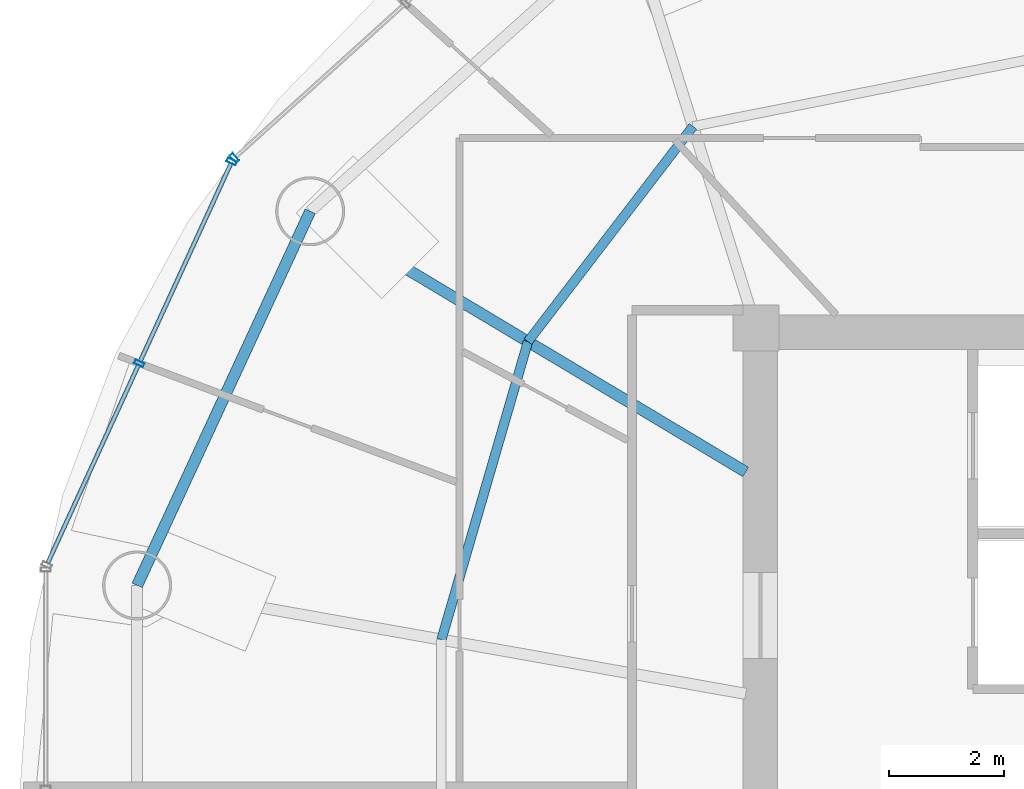
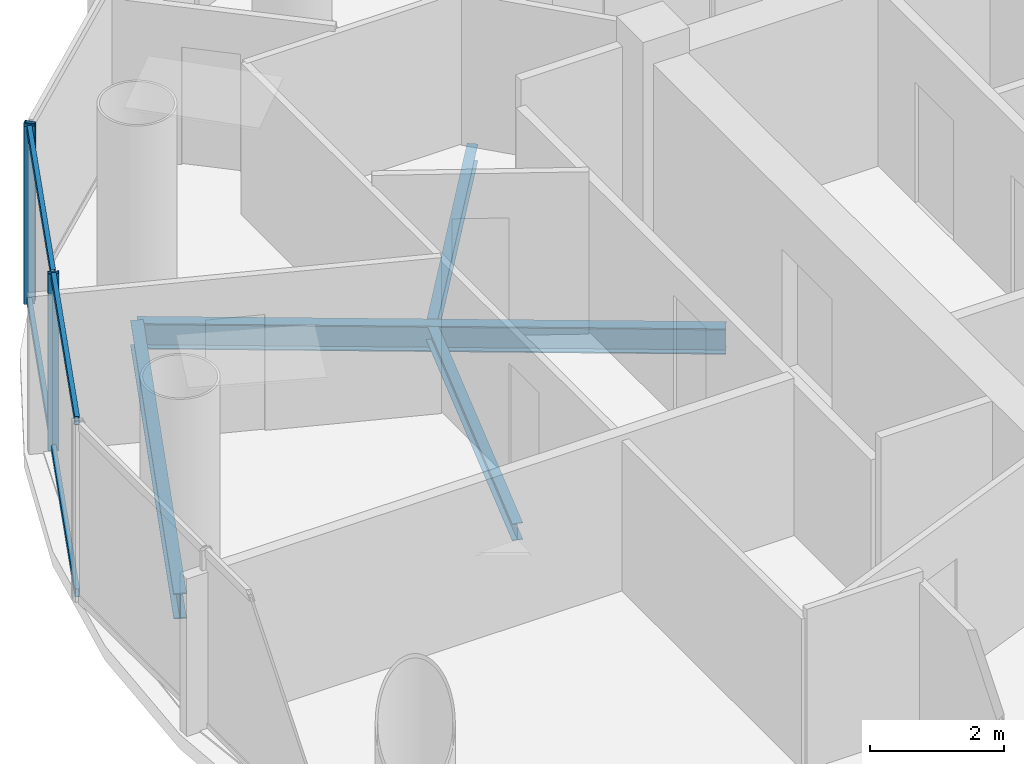
# One storey, part 8 of 26: 7 members, 4 beams, 2 elements without a shape of their own.
"""IFC4 building model written with IfcOpenShell, lengths in metres."""

from ifc_helpers import new_model, si_unit, direction, frame, origin, origin_2d, place, context, subcontext, project, spatial, hollow_rectangle, i_section, extrude, source, transform, mapped, material, material_profile, profile_set, type_object, element, aggregate, save


model = new_model("IFC4")

# Units and contexts
model_context = context("Model", 3, precision=1e-05, world=origin(), true_north=direction((-0.2419218956, 0.970295726276)))
body_context = subcontext(model_context, "Body", "Model", "MODEL_VIEW")
ifc_project = project(units=[si_unit("LENGTHUNIT", "METRE"), si_unit("AREAUNIT", "SQUARE_METRE"), si_unit("VOLUMEUNIT", "CUBIC_METRE"), si_unit("PLANEANGLEUNIT", "RADIAN"), si_unit("MASSUNIT", "GRAM", prefix="KILO")], contexts=[model_context])

# Site, building, storey
site_placement = place(None, origin())
site = spatial("IfcSite", under=ifc_project, at=site_placement, CompositionType="ELEMENT")
building_placement = place(site_placement, origin())
building = spatial("IfcBuilding", under=site, at=building_placement, Name="Cobrevalo Terracotta Tower", CompositionType="ELEMENT")
storey_placement = place(building_placement, frame((0.0, 0.0, 239.300048828125)))
storey = spatial("IfcBuildingStorey", under=building, at=storey_placement, Name="L63", CompositionType="ELEMENT", Elevation=239.300048828125)

# Beams
ifc_material_1 = material(Name="Steel S355", Category="steel")
ifc_material_profile_1 = material_profile(ifc_material_1, i_section(OverallWidth=0.194091796875, OverallDepth=0.468994140625, WebThickness=0.011474609375, FlangeThickness=0.0205078125, at=origin_2d()), Name="W 460x106")
ifc_profile_set_1 = profile_set([ifc_material_profile_1], Name="Steel S355")
beam_type_1 = type_object("IfcBeamType", Name="Structural Beam W 460x106 (Steel S355)", PredefinedType="BEAM", material=ifc_profile_set_1)
beam_1_placement = place(storey_placement, frame((21.245849609375, 36.828125, -0.49951171875), z_axis=(0.858046392192, -0.513572184651, 0.0), x_axis=(0.513572184651, 0.858046392192, 0.0)))
element("IfcBeam", 1, at=beam_1_placement, inside=storey, type_object=beam_type_1, Name="L63 radial floor girder 07", PredefinedType="BEAM", context=body_context, shape_type="SweptSolid", body=[
    extrude(i_section(OverallWidth=0.194091796875, OverallDepth=0.468994140625, WebThickness=0.011474609375, FlangeThickness=0.0205078125, at=origin_2d()), origin(), (0.0, 0.0, 1.0), 8.827392578125),
])
ifc_material_profile_2 = material_profile(ifc_material_1, i_section(OverallWidth=0.1650390625, OverallDepth=0.31005859375, WebThickness=0.005859375, FlangeThickness=0.009765625, at=origin_2d()), Name="W 310x38.7")
ifc_profile_set_2 = profile_set([ifc_material_profile_2], Name="Steel S355")
beam_type_2 = type_object("IfcBeamType", Name="Structural Joist W 310x38.7 (Steel S355)", PredefinedType="JOIST", material=ifc_profile_set_2)
beam_2_placement = place(storey_placement, frame((27.902587890625, 38.303955078125, -0.420166015625), z_axis=(-0.608464146296, -0.793581364872, 0.0), x_axis=(0.793581364872, -0.608464146296, 0.0)))
element("IfcBeam", 2, at=beam_2_placement, inside=storey, type_object=beam_type_2, Name="L63 circumferential secondary floor joist 06", PredefinedType="JOIST", context=body_context, shape_type="SweptSolid", body=[
    extrude(i_section(OverallWidth=0.1650390625, OverallDepth=0.31005859375, WebThickness=0.005859375, FlangeThickness=0.009765625, at=origin_2d()), origin(), (0.0, 0.0, 1.0), 4.716064453125),
])
beam_3_placement = place(storey_placement, frame((25.032958984375, 34.561279296875, -0.420166015625), z_axis=(-0.278769817131, -0.960357948401, 0.0), x_axis=(0.960357948401, -0.278769817131, 0.0)))
element("IfcBeam", 3, at=beam_3_placement, inside=storey, type_object=beam_type_2, Name="L63 circumferential secondary floor joist 07", PredefinedType="JOIST", context=body_context, shape_type="SweptSolid", body=[
    extrude(i_section(OverallWidth=0.1650390625, OverallDepth=0.31005859375, WebThickness=0.005859375, FlangeThickness=0.009765625, at=origin_2d()), origin(), (0.0, 0.0, 1.0), 5.396484375),
])
ifc_material_profile_3 = material_profile(ifc_material_1, i_section(OverallWidth=0.194091796875, OverallDepth=0.468994140625, WebThickness=0.011474609375, FlangeThickness=0.0205078125, at=origin_2d()), Name="W 460x106")
ifc_profile_set_3 = profile_set([ifc_material_profile_3], Name="Steel S355")
beam_type_3 = type_object("IfcBeamType", Name="Structural Spandrel W 460x106 (Steel S355)", PredefinedType="SPANDREL", material=ifc_profile_set_3)
beam_4_placement = place(storey_placement, frame((21.245849609375, 36.828125, -0.49951171875), z_axis=(-0.419705965131, -0.907660125176, 0.0), x_axis=(0.907660125176, -0.419705965131, 0.0)))
element("IfcBeam", 4, at=beam_4_placement, inside=storey, type_object=beam_type_3, Name="L63 perimeter ring spandrel 07", PredefinedType="SPANDREL", context=body_context, shape_type="SweptSolid", body=[
    extrude(i_section(OverallWidth=0.194091796875, OverallDepth=0.468994140625, WebThickness=0.011474609375, FlangeThickness=0.0205078125, at=origin_2d()), origin(), (0.0, 0.0, 1.0), 7.168701171875),
])

# Curtain wall, members
ifc_material_2 = material(Name="Anodized aluminium", Category="aluminium")
curtain_wall_type = type_object("IfcCurtainWallType", Name="Mid-tower high-wind unitised curtain wall CW-U2", PredefinedType="NOTDEFINED", material=ifc_material_2)
curtain_wall_1_placement = place(storey_placement, origin())
curtain_wall_1 = element("IfcCurtainWall", 5, at=curtain_wall_1_placement, inside=storey, type_object=curtain_wall_type, Name="L63 curtain wall CW-L63-S07", PredefinedType="NOTDEFINED")
ifc_material_profile_4 = material_profile(ifc_material_2, hollow_rectangle(XDim=0.074951171875, YDim=0.14990234375, WallThickness=0.00439453125, at=origin_2d()), Name="CWT 75x150")
ifc_profile_set_4 = profile_set([ifc_material_profile_4], Name="Anodized aluminium")
member_type_1 = type_object("IfcMemberType", Name="Tower unitised aluminium transom 75x150", PredefinedType="USERDEFINED", material=ifc_profile_set_4)
shared_shape_1 = source(origin(), body_context, "Body", "SweptSolid", [
    extrude(hollow_rectangle(XDim=0.074951171875, YDim=0.14990234375, WallThickness=0.00439453125, at=origin_2d()), origin(), (0.0, 0.0, 1.0), 3.780029296875),
])
member_1_placement = place(storey_placement, frame((19.865478515625, 37.6552734375, 0.050048828125), z_axis=(-0.416705859352, -0.909041377926, 0.0), x_axis=(0.909041377926, -0.416705859352, 0.0)))
member_1 = element("IfcMember", 6, at=member_1_placement, type_object=member_type_1, Name="CW-L63-S07 transom B01-T1", ObjectType="TRANSOM", PredefinedType="USERDEFINED", context=body_context, shape_type="MappedRepresentation", body=[
    mapped(shared_shape_1, transform((0.0, 0.0, 0.0), scale=1.0)),
])
member_2_placement = place(storey_placement, frame((19.865478515625, 37.6552734375, 3.199951171875), z_axis=(-0.416705859352, -0.909041377926, 0.0), x_axis=(0.909041377926, -0.416705859352, 0.0)))
member_2 = element("IfcMember", 7, at=member_2_placement, type_object=member_type_1, Name="CW-L63-S07 transom B01-T2", ObjectType="TRANSOM", PredefinedType="USERDEFINED", context=body_context, shape_type="MappedRepresentation", body=[
    mapped(shared_shape_1, transform((0.0, 0.0, 0.0), scale=1.0)),
])
member_3_placement = place(storey_placement, frame((18.2568359375, 34.146484375, 0.050048828125), z_axis=(-0.416705859352, -0.909041377926, 0.0), x_axis=(0.909041377926, -0.416705859352, 0.0)))
member_3 = element("IfcMember", 8, at=member_3_placement, type_object=member_type_1, Name="CW-L63-S07 transom B02-T1", ObjectType="TRANSOM", PredefinedType="USERDEFINED", context=body_context, shape_type="MappedRepresentation", body=[
    mapped(shared_shape_1, transform((0.0, 0.0, 0.0), scale=1.0)),
])
member_4_placement = place(storey_placement, frame((18.2568359375, 34.146484375, 3.199951171875), z_axis=(-0.416705859352, -0.909041377926, 0.0), x_axis=(0.909041377926, -0.416705859352, 0.0)))
member_4 = element("IfcMember", 9, at=member_4_placement, type_object=member_type_1, Name="CW-L63-S07 transom B02-T2", ObjectType="TRANSOM", PredefinedType="USERDEFINED", context=body_context, shape_type="MappedRepresentation", body=[
    mapped(shared_shape_1, transform((0.0, 0.0, 0.0), scale=1.0)),
])

# Curtain wall, member
curtain_wall_2_placement = place(storey_placement, origin())
curtain_wall_2 = element("IfcCurtainWall", 10, at=curtain_wall_2_placement, inside=storey, type_object=curtain_wall_type, Name="L63 curtain wall CW-L63-S06", PredefinedType="NOTDEFINED")
ifc_material_profile_5 = material_profile(ifc_material_2, hollow_rectangle(XDim=0.070068359375, YDim=0.169921875, WallThickness=0.00439453125, at=origin_2d()), Name="CWM 70x170")
ifc_profile_set_5 = profile_set([ifc_material_profile_5], Name="Anodized aluminium")
member_type_2 = type_object("IfcMemberType", Name="Upper tower unitised mullion 70x170", PredefinedType="MULLION", material=ifc_profile_set_5)
shared_shape_2 = source(origin(), body_context, "Body", "SweptSolid", [
    extrude(hollow_rectangle(XDim=0.070068359375, YDim=0.169921875, WallThickness=0.00439453125, at=origin_2d()), origin(), (0.0, 0.0, 1.0), 3.25),
])
member_5_placement = place(storey_placement, frame((19.928466796875, 37.7548828125, 0.0), z_axis=(0.0, 0.0, 1.0), x_axis=(-0.741987542015, -0.670413668935, 0.0)))
member_5 = element("IfcMember", 11, at=member_5_placement, type_object=member_type_2, Name="CW-L63-S06 vertical mullion 03", PredefinedType="MULLION", context=body_context, shape_type="MappedRepresentation", body=[
    mapped(shared_shape_2, transform((0.0, 0.0, 0.0), scale=1.0)),
])
aggregate(curtain_wall_2, [member_5])

# Member
member_6_placement = place(storey_placement, frame((19.88232421875, 37.691650390625, 0.0), z_axis=(0.0, 0.0, 1.0), x_axis=(-0.41672507912, -0.909032567311, 0.0)))
member_6 = element("IfcMember", 12, at=member_6_placement, type_object=member_type_2, Name="CW-L63-S07 vertical mullion 01", PredefinedType="MULLION", context=body_context, shape_type="MappedRepresentation", body=[
    mapped(shared_shape_2, transform((0.0, 0.0, 0.0), scale=1.0)),
])

member_7_placement = place(storey_placement, frame((18.273681640625, 34.182861328125, 0.0), z_axis=(0.0, 0.0, 1.0), x_axis=(-0.41672507912, -0.909032567311, 0.0)))
member_7 = element("IfcMember", 13, at=member_7_placement, type_object=member_type_2, Name="CW-L63-S07 vertical mullion 02", PredefinedType="MULLION", context=body_context, shape_type="MappedRepresentation", body=[
    mapped(shared_shape_2, transform((0.0, 0.0, 0.0), scale=1.0)),
])

aggregate(curtain_wall_1, [member_6, member_7, member_1, member_2, member_3, member_4])

save(model, "model.ifc")
